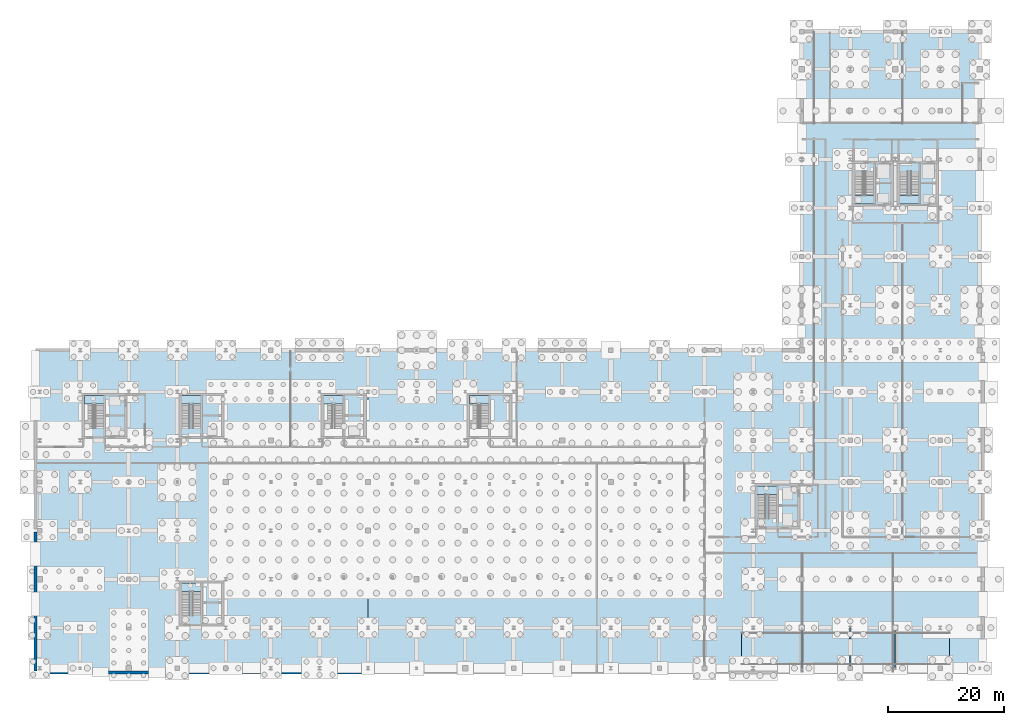
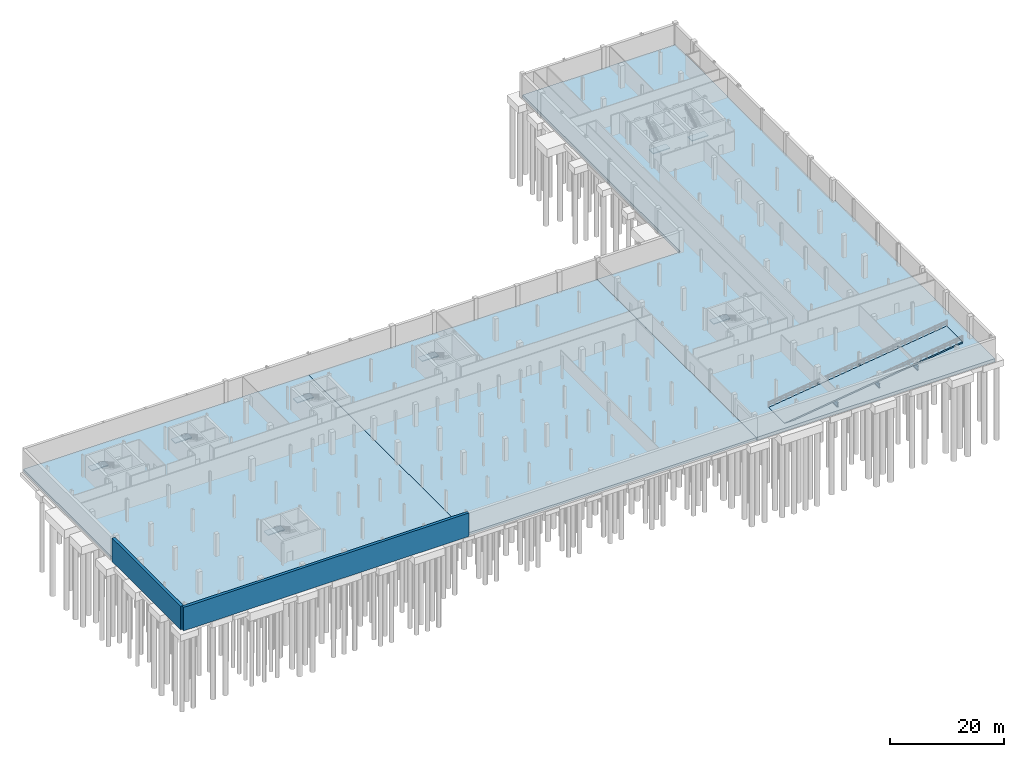
# One storey, part 20 of 32: 12 slabs, 3 beams, 2 walls, 8 elements without a shape of their own.
"""IFC4 building model written with IfcOpenShell, lengths in metres."""

import ifcopenshell
import ifcopenshell.guid

model = None  # the IFC model being written
_history = None  # IfcOwnerHistory: only IFC2X3 demands one
_inside = {}  # id of a spatial element -> (the spatial element, [elements in it])
_under = {}  # id of a project, library or spatial element -> (it, [spatial elements below it])
_declared = {}  # id of a project -> (the project, [libraries it declares])
_typed = {}  # id of a type object -> (the type object, [elements of that type])
_made_of = {}  # id of a material, layer set ... -> (it, [elements and type objects made of it])


def new_model(schema):
    """Start an empty IFC model of exactly this schema.

    Asked for "IFC4X3", IfcOpenShell would pick the latest addendum, in which some entities
    have other attributes; the version numbers below select the first issue.
    IFC2X3 requires an IfcOwnerHistory on every rooted entity: one is made here for all.
    """
    global model, _history
    if schema == "IFC4X3":
        model = ifcopenshell.file(schema_version=(4, 3, 0, 0))
    else:
        model = ifcopenshell.file(schema=schema)
    _inside.clear()
    _under.clear()
    _declared.clear()
    _typed.clear()
    _made_of.clear()
    _history = None
    if model.schema == "IFC2X3":
        org = make("IfcOrganization", Name="unknown")
        user = make(
            "IfcPersonAndOrganization",
            ThePerson=make("IfcPerson", FamilyName="unknown"),
            TheOrganization=org,
        )
        app = make(
            "IfcApplication",
            ApplicationDeveloper=org,
            Version="unknown",
            ApplicationFullName="unknown",
            ApplicationIdentifier="unknown",
        )
        _history = make(
            "IfcOwnerHistory",
            OwningUser=user,
            OwningApplication=app,
            ChangeAction="ADDED",
            CreationDate=0,
        )
    return model


def make(cls, **values):
    """One entity of the class cls with the attributes given. An attribute that is None is left unset."""
    return model.create_entity(
        cls, **{name: value for name, value in values.items() if value is not None}
    )


def rooted(cls, **values):
    """An entity with a GlobalId (a new one), such as an element, a storey or a relation."""
    return make(cls, GlobalId=ifcopenshell.guid.new(), OwnerHistory=_history, **values)


def si_unit(unit_type, name, prefix=None):
    """IfcSIUnit, for example si_unit("LENGTHUNIT", "METRE", prefix="MILLI")."""
    return make("IfcSIUnit", UnitType=unit_type, Prefix=prefix, Name=name)


def assignment(units):
    """IfcUnitAssignment: the units of a project."""
    return None if units is None else make("IfcUnitAssignment", Units=units)


def point(xyz):
    """IfcCartesianPoint."""
    return None if xyz is None else make("IfcCartesianPoint", Coordinates=xyz)


def direction(xyz):
    """IfcDirection."""
    return None if xyz is None else make("IfcDirection", DirectionRatios=xyz)


def frame(location, z_axis=None, x_axis=None):
    """IfcAxis2Placement3D, a coordinate frame: its origin and axes. An axis left out is left unset."""
    return make(
        "IfcAxis2Placement3D",
        Location=point(location),
        Axis=direction(z_axis),
        RefDirection=direction(x_axis),
    )


def frame_2d(location, x_axis=None):
    """IfcAxis2Placement2D, a coordinate frame in the plane: its origin and x axis."""
    return make(
        "IfcAxis2Placement2D", Location=point(location), RefDirection=direction(x_axis)
    )


def origin_with_axes():
    """The frame at (0, 0, 0) with the z axis (0, 0, 1) and the x axis (1, 0, 0) written out."""
    return frame((0.0, 0.0, 0.0), z_axis=(0.0, 0.0, 1.0), x_axis=(1.0, 0.0, 0.0))


def origin_2d_with_axis():
    """The frame at (0, 0) in the plane with the x axis (1, 0) written out."""
    return frame_2d((0.0, 0.0), x_axis=(1.0, 0.0))


def place(relative_to, where):
    """IfcLocalPlacement: puts the frame where relative to a parent placement (None: the world)."""
    return make(
        "IfcLocalPlacement", PlacementRelTo=relative_to, RelativePlacement=where
    )


def context(
    kind, dimensions, precision=None, world=None, true_north=None, identifier=None
):
    """IfcGeometricRepresentationContext, for example the 3D "Model" context."""
    return make(
        "IfcGeometricRepresentationContext",
        ContextIdentifier=identifier,
        ContextType=kind,
        CoordinateSpaceDimension=dimensions,
        Precision=precision,
        WorldCoordinateSystem=world,
        TrueNorth=true_north,
    )


def subcontext(parent, identifier, kind, view, scale=None):
    """IfcGeometricRepresentationSubContext, for example "Body" below "Model"."""
    return make(
        "IfcGeometricRepresentationSubContext",
        ContextIdentifier=identifier,
        ContextType=kind,
        ParentContext=parent,
        TargetScale=scale,
        TargetView=view,
    )


def project(units=None, contexts=None):
    """IfcProject with its units and contexts."""
    return rooted(
        "IfcProject",
        Name="project",
        RepresentationContexts=contexts,
        UnitsInContext=assignment(units),
    )


def spatial(cls, under=None, at=None, **own):
    """A site, building, storey or space (cls), placed at a placement, below another one or the project."""
    s = rooted(cls, ObjectPlacement=at, **own)
    if under is not None:
        _under.setdefault(under.id(), (under, []))[1].append(s)
    return s


def polyline(points):
    """IfcPolyline through the points."""
    return make("IfcPolyline", Points=[point(p) for p in points])


def profile(cls, at=None, kind="AREA", **sizes):
    """A parametric profile (cls). Its sizes go by their IFC names, for example OverallWidth=200.0."""
    return make(cls, ProfileType=kind, Position=at, **sizes)


def rectangle(**sizes):
    """IfcRectangleProfileDef."""
    return profile("IfcRectangleProfileDef", **sizes)


def i_section(**sizes):
    """IfcIShapeProfileDef."""
    return profile("IfcIShapeProfileDef", **sizes)


def outline(outer, holes=None, kind="AREA"):
    """IfcArbitraryClosedProfileDef: a profile drawn as a closed curve; with holes, ...WithVoids."""
    if holes is None:
        return make("IfcArbitraryClosedProfileDef", ProfileType=kind, OuterCurve=outer)
    return make(
        "IfcArbitraryProfileDefWithVoids",
        ProfileType=kind,
        OuterCurve=outer,
        InnerCurves=holes,
    )


def extrude(swept, where, along, depth):
    """IfcExtrudedAreaSolid: the profile swept, set in the frame where, extruded along a direction by depth."""
    return make(
        "IfcExtrudedAreaSolid",
        SweptArea=swept,
        Position=where,
        ExtrudedDirection=direction(along),
        Depth=depth,
    )


def shape(context_of_items, identifier, shape_type, items):
    """IfcShapeRepresentation: the items that make up one representation, for example the "Body"."""
    return make(
        "IfcShapeRepresentation",
        ContextOfItems=context_of_items,
        RepresentationIdentifier=identifier,
        RepresentationType=shape_type,
        Items=items,
    )


def material(Name=None, Category=None):
    """IfcMaterial."""
    return make("IfcMaterial", Name=Name, Category=Category)


def layer(
    of_material, thickness, ventilated=None, Name=None, Category=None, Priority=None
):
    """IfcMaterialLayer: one layer of a wall or slab, of a material (None: an air gap)."""
    return make(
        "IfcMaterialLayer",
        Material=of_material,
        LayerThickness=thickness,
        IsVentilated=ventilated,
        Name=Name,
        Category=Category,
        Priority=Priority,
    )


def layer_set(layers, Name=None):
    """IfcMaterialLayerSet."""
    return make("IfcMaterialLayerSet", MaterialLayers=layers, LayerSetName=Name)


def material_profile(
    of_material, cross_section, Name=None, Category=None, Priority=None
):
    """IfcMaterialProfile: a cross section and its material."""
    return make(
        "IfcMaterialProfile",
        Name=Name,
        Material=of_material,
        Profile=cross_section,
        Priority=Priority,
        Category=Category,
    )


def profile_set(profiles, Name=None, composite=None):
    """IfcMaterialProfileSet."""
    return make(
        "IfcMaterialProfileSet",
        Name=Name,
        MaterialProfiles=profiles,
        CompositeProfile=composite,
    )


def made_of(thing, what):
    """Note that an element or type object is made of a material, layer set ...; save() writes the relation."""
    if what is not None:
        _made_of.setdefault(what.id(), (what, []))[1].append(thing)
    return thing


def type_object(cls, material=None, **own):
    """A type object (cls), such as IfcWallType, which elements share."""
    return made_of(rooted(cls, **own), material)


def element(
    cls,
    number,
    at=None,
    inside=None,
    cuts=None,
    type_object=None,
    material=None,
    context=None,
    identifier="Body",
    shape_type=None,
    held_by="IfcProductDefinitionShape",
    body=None,
    shapes=None,
    **own,
):
    """One element of the class cls, such as IfcWall. Its Tag is "e" and its number.

    at: its placement. inside: the storey or other place that contains it. cuts: it is an
    opening in that element (IfcRelVoidsElement). A single representation is given by context,
    identifier, shape_type and body (its items); several are given by shapes. held_by: the class
    of the entity that holds the representations. save() writes the other relations.
    """
    e = rooted(cls, Tag="e%d" % number, ObjectPlacement=at, **own)
    if body is not None:
        shapes = [shape(context, identifier, shape_type, body)]
    if shapes is not None:
        e.Representation = make(held_by, Representations=shapes)
    if inside is not None:
        _inside.setdefault(inside.id(), (inside, []))[1].append(e)
    if cuts is not None:
        rooted(
            "IfcRelVoidsElement", RelatingBuildingElement=cuts, RelatedOpeningElement=e
        )
    if type_object is not None:
        _typed.setdefault(type_object.id(), (type_object, []))[1].append(e)
    return made_of(e, material)


def aggregate(whole, parts):
    """IfcRelAggregates: a whole, such as a stair, and the parts it consists of."""
    return rooted("IfcRelAggregates", RelatingObject=whole, RelatedObjects=parts)


def save(model, path):
    """Write the relations noted so far, then the file.

    IfcRelAggregates (storeys below a building ...), IfcRelContainedInSpatialStructure (elements
    in a storey), IfcRelDefinesByType, IfcRelAssociatesMaterial and IfcRelDeclares: one each for
    every whole, place, type object, material and project.
    """
    for whole, parts in _under.values():
        aggregate(whole, parts)
    for where, things in _inside.values():
        rooted(
            "IfcRelContainedInSpatialStructure",
            RelatedElements=things,
            RelatingStructure=where,
        )
    for kind, things in _typed.values():
        rooted("IfcRelDefinesByType", RelatedObjects=things, RelatingType=kind)
    for what, things in _made_of.values():
        rooted("IfcRelAssociatesMaterial", RelatedObjects=things, RelatingMaterial=what)
    for by, libraries in _declared.values():
        rooted("IfcRelDeclares", RelatingContext=by, RelatedDefinitions=libraries)
    model.write(path)


model = new_model("IFC4")

# Units and contexts
model_context = context("Model", 3, precision=1e-05, world=origin_with_axes(), true_north=direction((0.0, 1.0)))
body_context = subcontext(model_context, "Body", "Model", "MODEL_VIEW")
ifc_project = project(units=[si_unit("LENGTHUNIT", "METRE"), si_unit("AREAUNIT", "SQUARE_METRE"), si_unit("VOLUMEUNIT", "CUBIC_METRE"), si_unit("PLANEANGLEUNIT", "RADIAN"), si_unit("MASSUNIT", "GRAM", prefix="KILO"), si_unit("THERMODYNAMICTEMPERATUREUNIT", "KELVIN")], contexts=[model_context])

# Site, building, storey
site_placement = place(None, origin_with_axes())
site = spatial("IfcSite", under=ifc_project, at=site_placement, CompositionType="ELEMENT")
building_placement = place(site_placement, origin_with_axes())
building = spatial("IfcBuilding", under=site, at=building_placement, Name="Montbau Bow Law Courts", CompositionType="ELEMENT")
storey_placement = place(building_placement, frame((0.0, 0.0, -4.8), z_axis=(0.0, 0.0, 1.0), x_axis=(1.0, 0.0, 0.0)))
storey = spatial("IfcBuildingStorey", under=building, at=storey_placement, Name="B1", CompositionType="ELEMENT", Elevation=-4.8)

# Beams
ifc_material_1 = material(Name="Steel CSA G40.21 Grade 350W (350 MPa)", Category="steel")
ifc_material_profile = material_profile(ifc_material_1, i_section(OverallWidth=0.293, OverallDepth=0.846, WebThickness=0.0154, FlangeThickness=0.0244, at=origin_2d_with_axis()), Name="W840X210", Category="Main", Priority=0)
ifc_profile_set = profile_set([ifc_material_profile], Name="Steel CSA G40.21 Grade 350W (350 MPa)")
beam_type = type_object("IfcBeamType", Name="B-FLR-02", PredefinedType="BEAM", material=ifc_profile_set)
for number, where, z_axis, x_axis, name in (
    (1, (138.6, 6.8, -4.155), (0.0, 1.0, 0.0), (-1.0, 0.0, 0.0), "BM-RSP1-01:bm2_0001"),
    (2, (147.0, 6.8, -3.035), (0.0, 1.0, 0.0), (-1.0, 0.0, 0.0), "BM-RSP1-02:bm2_0002"),
    (3, (154.8, 6.8, -1.995), (0.0, 1.0, 0.0), (-1.0, 0.0, 0.0), "BM-RSP1-03:bm2_0003"),
):
    element("IfcBeam", number, at=place(None, frame(where, z_axis=z_axis, x_axis=x_axis)), inside=storey, type_object=beam_type, Name=name, PredefinedType="BEAM", context=body_context, shape_type="SweptSolid", body=[
        extrude(i_section(OverallWidth=0.293, OverallDepth=0.846, WebThickness=0.0154, FlangeThickness=0.0244, at=origin_2d_with_axis()), origin_with_axes(), (0.0, 0.0, 1.0), 7.0),
    ])

# Slabs
ifc_material_2 = material(Name="Concrete CSA A23.1 f'c 40 MPa", Category="concrete")
ifc_layer_1 = layer(ifc_material_2, 0.55, Name="Base Slab", Category="concrete")
ifc_layer_set_1 = layer_set([ifc_layer_1], Name="Concrete CSA A23.1 f'c 40 MPa")
slab_type_1 = type_object("IfcSlabType", Name="SL-BAS-01", PredefinedType="BASESLAB", material=ifc_layer_set_1)
slab_1_placement = place(None, frame((0.0, 0.0, -5.35), z_axis=(0.0, 0.0, 1.0), x_axis=(1.0, 0.0, 0.0)))
element("IfcSlab", 4, at=slab_1_placement, inside=storey, type_object=slab_type_1, Name="SL-B1-01:slb_0001", PredefinedType="BASESLAB", context=body_context, shape_type="SweptSolid", body=[
    extrude(outline(polyline([(6.08, 6.08), (63.6, 6.08), (63.6, 61.8), (6.08, 61.8), (6.08, 6.08)])), origin_with_axes(), (0.0, 0.0, 1.0), 0.55),
])
ifc_layer_2 = layer(ifc_material_2, 0.48, Name="Base Slab", Category="concrete")
ifc_layer_set_2 = layer_set([ifc_layer_2], Name="Concrete CSA A23.1 f'c 40 MPa")
slab_type_2 = type_object("IfcSlabType", Name="SL-BAS-02", PredefinedType="BASESLAB", material=ifc_layer_set_2)
slab_2_placement = place(None, frame((0.0, 0.0, -5.28), z_axis=(0.0, 0.0, 1.0), x_axis=(1.0, 0.0, 0.0)))
element("IfcSlab", 5, at=slab_2_placement, inside=storey, type_object=slab_type_2, Name="SL-B1-02:slb_0002", PredefinedType="BASESLAB", context=body_context, shape_type="SweptSolid", body=[
    extrude(outline(polyline([(63.6, 6.08), (121.8, 6.08), (121.8, 61.8), (63.6, 61.8), (63.6, 6.08)])), origin_with_axes(), (0.0, 0.0, 1.0), 0.48),
])
ifc_layer_3 = layer(ifc_material_2, 0.65, Name="Base Slab", Category="concrete")
ifc_layer_set_3 = layer_set([ifc_layer_3], Name="Concrete CSA A23.1 f'c 40 MPa")
slab_type_3 = type_object("IfcSlabType", Name="SL-BAS-03", PredefinedType="BASESLAB", material=ifc_layer_set_3)
slab_3_placement = place(None, frame((0.0, 0.0, -5.45), z_axis=(0.0, 0.0, 1.0), x_axis=(1.0, 0.0, 0.0)))
element("IfcSlab", 6, at=slab_3_placement, inside=storey, type_object=slab_type_3, Name="SL-B1-03:slb_0003", PredefinedType="BASESLAB", context=body_context, shape_type="SweptSolid", body=[
    extrude(outline(polyline([(121.8, 6.08), (169.92, 6.08), (169.92, 61.8), (169.4, 61.8), (169.4, 116.92), (138.6, 116.92), (138.6, 61.8), (121.8, 61.8), (121.8, 6.08)]), holes=[polyline([(128.2, 7.4), (130.5, 7.4), (130.5, 13.0), (128.2, 13.0), (128.2, 7.4)])]), origin_with_axes(), (0.0, 0.0, 1.0), 0.65),
])

# Stair, slab
stair_type_1 = type_object("IfcStairType", Name="ST-PUB-1800", PredefinedType="HALF_TURN_STAIR", material=ifc_material_2)
stair_1_placement = place(None, frame((15.33, 48.3, -4.8), z_axis=(0.0, 0.0, 1.0), x_axis=(1.0, 0.0, 0.0)))
stair_1 = element("IfcStair", 7, at=stair_1_placement, inside=storey, type_object=stair_type_1, Name="ST-P1-B1:str_0001", PredefinedType="HALF_TURN_STAIR")
ifc_layer_4 = layer(ifc_material_2, 0.18, Name="Landing", Category="concrete")
ifc_layer_set_4 = layer_set([ifc_layer_4], Name="Concrete CSA A23.1 f'c 40 MPa")
slab_type_4 = type_object("IfcSlabType", Name="SL-LND-01", PredefinedType="LANDING", material=ifc_layer_set_4)
slab_4_placement = place(None, frame((0.0, 0.0, -2.58), z_axis=(0.0, 0.0, 1.0), x_axis=(1.0, 0.0, 0.0)))
slab_4 = element("IfcSlab", 8, at=slab_4_placement, type_object=slab_type_4, Name="ST-P1-B1-LM:str_0001_LM", PredefinedType="LANDING", context=body_context, shape_type="SweptSolid", body=[
    extrude(outline(polyline([(14.52, 52.46), (17.9, 52.46), (17.9, 53.93), (14.52, 53.93), (14.52, 52.46)])), origin_with_axes(), (0.0, 0.0, 1.0), 0.18),
])
aggregate(stair_1, [slab_4])

stair_type_2 = type_object("IfcStairType", Name="ST-JUD-1500", PredefinedType="HALF_TURN_STAIR", material=ifc_material_2)
stair_2_placement = place(None, frame((32.09, 48.3, -4.8), z_axis=(0.0, 0.0, 1.0), x_axis=(1.0, 0.0, 0.0)))
stair_2 = element("IfcStair", 9, at=stair_2_placement, inside=storey, type_object=stair_type_2, Name="ST-J1-B1:str_0009", PredefinedType="HALF_TURN_STAIR")
slab_5_placement = place(None, frame((0.0, 0.0, -2.58), z_axis=(0.0, 0.0, 1.0), x_axis=(1.0, 0.0, 0.0)))
slab_5 = element("IfcSlab", 10, at=slab_5_placement, type_object=slab_type_4, Name="ST-J1-B1-LM:str_0009_LM", PredefinedType="LANDING", context=body_context, shape_type="SweptSolid", body=[
    extrude(outline(polyline([(31.32, 52.46), (34.7, 52.46), (34.7, 53.93), (31.32, 53.93), (31.32, 52.46)])), origin_with_axes(), (0.0, 0.0, 1.0), 0.18),
])
aggregate(stair_2, [slab_5])

stair_3_placement = place(None, frame((56.73, 48.3, -4.8), z_axis=(0.0, 0.0, 1.0), x_axis=(1.0, 0.0, 0.0)))
stair_3 = element("IfcStair", 11, at=stair_3_placement, inside=storey, type_object=stair_type_1, Name="ST-P4-B1:str_0017", PredefinedType="HALF_TURN_STAIR")
slab_6_placement = place(None, frame((0.0, 0.0, -2.58), z_axis=(0.0, 0.0, 1.0), x_axis=(1.0, 0.0, 0.0)))
slab_6 = element("IfcSlab", 12, at=slab_6_placement, type_object=slab_type_4, Name="ST-P4-B1-LM:str_0017_LM", PredefinedType="LANDING", context=body_context, shape_type="SweptSolid", body=[
    extrude(outline(polyline([(55.92, 52.46), (59.3, 52.46), (59.3, 53.93), (55.92, 53.93), (55.92, 52.46)])), origin_with_axes(), (0.0, 0.0, 1.0), 0.18),
])
aggregate(stair_3, [slab_6])

stair_4_placement = place(None, frame((81.93, 48.3, -4.8), z_axis=(0.0, 0.0, 1.0), x_axis=(1.0, 0.0, 0.0)))
stair_4 = element("IfcStair", 13, at=stair_4_placement, inside=storey, type_object=stair_type_1, Name="ST-P3-B1:str_0025", PredefinedType="HALF_TURN_STAIR")
slab_7_placement = place(None, frame((0.0, 0.0, -2.58), z_axis=(0.0, 0.0, 1.0), x_axis=(1.0, 0.0, 0.0)))
slab_7 = element("IfcSlab", 14, at=slab_7_placement, type_object=slab_type_4, Name="ST-P3-B1-LM:str_0025_LM", PredefinedType="LANDING", context=body_context, shape_type="SweptSolid", body=[
    extrude(outline(polyline([(81.12, 52.46), (84.5, 52.46), (84.5, 53.93), (81.12, 53.93), (81.12, 52.46)])), origin_with_axes(), (0.0, 0.0, 1.0), 0.18),
])
aggregate(stair_4, [slab_7])

stair_5_placement = place(None, frame((148.53, 92.7, -4.8), z_axis=(0.0, 0.0, 1.0), x_axis=(1.0, 0.0, 0.0)))
stair_5 = element("IfcStair", 15, at=stair_5_placement, inside=storey, type_object=stair_type_1, Name="ST-P2-B1:str_0033", PredefinedType="HALF_TURN_STAIR")
slab_8_placement = place(None, frame((0.0, 0.0, -2.58), z_axis=(0.0, 0.0, 1.0), x_axis=(1.0, 0.0, 0.0)))
slab_8 = element("IfcSlab", 16, at=slab_8_placement, type_object=slab_type_4, Name="ST-P2-B1-LM:str_0033_LM", PredefinedType="LANDING", context=body_context, shape_type="SweptSolid", body=[
    extrude(outline(polyline([(147.72, 87.07), (151.1, 87.07), (151.1, 88.54), (147.72, 88.54), (147.72, 87.07)])), origin_with_axes(), (0.0, 0.0, 1.0), 0.18),
])
aggregate(stair_5, [slab_8])

stair_6_placement = place(None, frame((156.29, 92.7, -4.8), z_axis=(0.0, 0.0, 1.0), x_axis=(1.0, 0.0, 0.0)))
stair_6 = element("IfcStair", 17, at=stair_6_placement, inside=storey, type_object=stair_type_2, Name="ST-J2-B1:str_0044", PredefinedType="HALF_TURN_STAIR")
slab_9_placement = place(None, frame((0.0, 0.0, -2.58), z_axis=(0.0, 0.0, 1.0), x_axis=(1.0, 0.0, 0.0)))
slab_9 = element("IfcSlab", 18, at=slab_9_placement, type_object=slab_type_4, Name="ST-J2-B1-LM:str_0044_LM", PredefinedType="LANDING", context=body_context, shape_type="SweptSolid", body=[
    extrude(outline(polyline([(155.52, 87.07), (158.9, 87.07), (158.9, 88.54), (155.52, 88.54), (155.52, 87.07)])), origin_with_axes(), (0.0, 0.0, 1.0), 0.18),
])
aggregate(stair_6, [slab_9])

stair_type_3 = type_object("IfcStairType", Name="ST-CUS-1500", PredefinedType="HALF_TURN_STAIR", material=ifc_material_2)
stair_7_placement = place(None, frame((131.69, 32.7, -4.8), z_axis=(0.0, 0.0, 1.0), x_axis=(1.0, 0.0, 0.0)))
stair_7 = element("IfcStair", 19, at=stair_7_placement, inside=storey, type_object=stair_type_3, Name="ST-C1-B1:str_0055", PredefinedType="HALF_TURN_STAIR")
slab_10_placement = place(None, frame((0.0, 0.0, -2.58), z_axis=(0.0, 0.0, 1.0), x_axis=(1.0, 0.0, 0.0)))
slab_10 = element("IfcSlab", 20, at=slab_10_placement, type_object=slab_type_4, Name="ST-C1-B1-LM:str_0055_LM", PredefinedType="LANDING", context=body_context, shape_type="SweptSolid", body=[
    extrude(outline(polyline([(130.92, 36.86), (134.3, 36.86), (134.3, 38.33), (130.92, 38.33), (130.92, 36.86)])), origin_with_axes(), (0.0, 0.0, 1.0), 0.18),
])
aggregate(stair_7, [slab_10])

stair_type_4 = type_object("IfcStairType", Name="ST-CER-1650", PredefinedType="HALF_TURN_STAIR", material=ifc_material_2)
stair_8_placement = place(None, frame((32.11, 15.9, -4.8), z_axis=(0.0, 0.0, 1.0), x_axis=(1.0, 0.0, 0.0)))
stair_8 = element("IfcStair", 21, at=stair_8_placement, inside=storey, type_object=stair_type_4, Name="ST-CER1-B1:str_0059", PredefinedType="HALF_TURN_STAIR")
slab_11_placement = place(None, frame((0.0, 0.0, -2.58), z_axis=(0.0, 0.0, 1.0), x_axis=(1.0, 0.0, 0.0)))
slab_11 = element("IfcSlab", 22, at=slab_11_placement, type_object=slab_type_4, Name="ST-CER1-B1-LM:str_0059_LM", PredefinedType="LANDING", context=body_context, shape_type="SweptSolid", body=[
    extrude(outline(polyline([(31.32, 20.06), (34.7, 20.06), (34.7, 21.53), (31.32, 21.53), (31.32, 20.06)])), origin_with_axes(), (0.0, 0.0, 1.0), 0.18),
])
aggregate(stair_8, [slab_11])

# Slab
ifc_layer_5 = layer(ifc_material_2, 0.28, Name="Floor Slab", Category="concrete")
ifc_layer_set_5 = layer_set([ifc_layer_5], Name="Concrete CSA A23.1 f'c 40 MPa")
slab_type_5 = type_object("IfcSlabType", Name="SL-RSP-01", PredefinedType="FLOOR", material=ifc_layer_set_5)
slab_12_placement = place(None, frame((0.0, 0.0, -22.175763), z_axis=(-0.132163395, 0.0, 0.991227944), x_axis=(0.991227944, 0.0, 0.132163395)))
element("IfcSlab", 23, at=slab_12_placement, inside=storey, type_object=slab_type_5, Name="Car park and custody vehicle ramp R-SP1", PredefinedType="FLOOR", context=body_context, shape_type="SweptSolid", body=[
    extrude(outline(polyline([(129.354707, 7.42), (165.632941, 7.42), (165.632941, 12.98), (129.354707, 12.98), (129.354707, 7.42)])), origin_with_axes(), (0.0, 0.0, 1.0), 0.28),
])

# Walls
ifc_layer_6 = layer(ifc_material_2, 0.55, Name="Retaining Wall", Category="concrete")
ifc_layer_set_6 = layer_set([ifc_layer_6], Name="Concrete CSA A23.1 f'c 40 MPa")
wall_type = type_object("IfcWallType", Name="W-RET-01", PredefinedType="USERDEFINED", material=ifc_layer_set_6)
wall_1_placement = place(None, frame((6.08, 6.08, -5.35), z_axis=(0.0, 0.0, 1.0), x_axis=(1.0, 0.0, 0.0)))
element("IfcWall", 24, at=wall_1_placement, inside=storey, type_object=wall_type, Name="WR-B1-01:wal_0001", ObjectType="RETAININGWALL", PredefinedType="USERDEFINED", context=body_context, shape_type="SweptSolid", body=[
    extrude(rectangle(XDim=57.52, YDim=0.55, at=frame_2d((28.76, 0.0), x_axis=(1.0, 0.0))), origin_with_axes(), (0.0, 0.0, 1.0), 5.01),
])
wall_2_placement = place(None, frame((6.08, 30.32, -5.35), z_axis=(0.0, 0.0, 1.0), x_axis=(0.0, -1.0, 0.0)))
element("IfcWall", 25, at=wall_2_placement, inside=storey, type_object=wall_type, Name="WR-B1-17:wal_0017", ObjectType="RETAININGWALL", PredefinedType="USERDEFINED", context=body_context, shape_type="SweptSolid", body=[
    extrude(rectangle(XDim=23.96, YDim=0.55, at=frame_2d((11.98, 0.0), x_axis=(1.0, 0.0))), origin_with_axes(), (0.0, 0.0, 1.0), 5.01),
])

save(model, "model.ifc")
